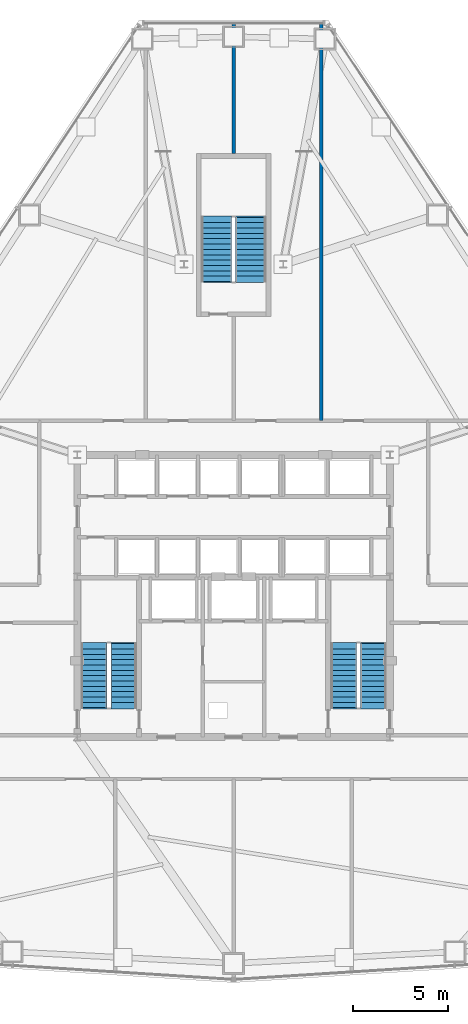
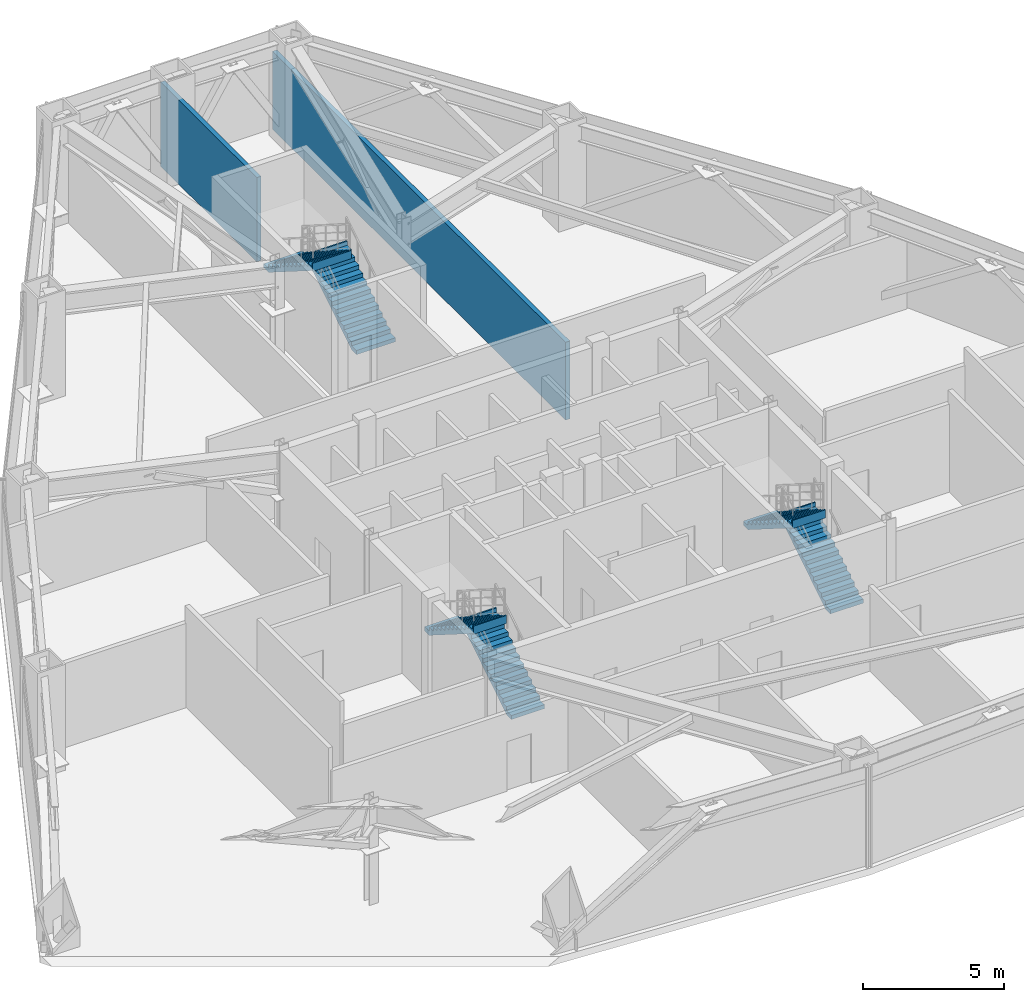
# One storey, part 11 of 12: 6 stair flights, 2 walls, 3 elements without a shape of their own.
"""IFC4 building model written with IfcOpenShell, lengths in metres."""

from ifc_helpers import new_model, si_unit, direction, frame, frame_2d, origin, place, context, subcontext, project, spatial, polyline, rectangle, outline, extrude, material, layer, layer_set, type_object, element, aggregate, save


model = new_model("IFC4")

# Units and contexts
model_context = context("Model", 3, precision=1e-05, world=origin(), true_north=direction((0.0, 1.0)))
body_context = subcontext(model_context, "Body", "Model", "MODEL_VIEW")
ifc_project = project(units=[si_unit("LENGTHUNIT", "METRE"), si_unit("AREAUNIT", "SQUARE_METRE"), si_unit("VOLUMEUNIT", "CUBIC_METRE"), si_unit("PLANEANGLEUNIT", "RADIAN"), si_unit("MASSUNIT", "GRAM", prefix="KILO")], contexts=[model_context])

# Site, building, storey
site_placement = place(None, origin())
site = spatial("IfcSite", under=ifc_project, at=site_placement, CompositionType="ELEMENT")
building_placement = place(site_placement, origin())
building = spatial("IfcBuilding", under=site, at=building_placement, Name="Varakhsha Concourse Tower", CompositionType="ELEMENT")
storey_placement = place(building_placement, frame((0.0, 0.0, 68.800048828125)))
storey = spatial("IfcBuildingStorey", under=building, at=storey_placement, Name="L19", CompositionType="ELEMENT", Elevation=68.800048828125)

# Walls
ifc_material_1 = material(Name="Fire-Rated Type X Gypsum Partition Assembly", Category="gypsum")
ifc_layer = layer(ifc_material_1, 0.179931640625, Name="WL-PART-180")
ifc_layer_set = layer_set([ifc_layer], Name="Fire-Rated Type X Gypsum Partition Assembly")
wall_type = type_object("IfcWallType", Name="WL-PART-180", PredefinedType="PARTITIONING", material=ifc_layer_set)
wall_1_placement = place(storey_placement, frame((40.0, 47.0, 0.0), z_axis=(0.0, 0.0, 1.0), x_axis=(0.0, 1.0, 0.0)))
element("IfcWall", 1, at=wall_1_placement, inside=storey, type_object=wall_type, Name="L19 Wall PDIV-N2-L19-B", PredefinedType="PARTITIONING", context=body_context, shape_type="SweptSolid", body=[
    extrude(rectangle(XDim=6.84912109375, YDim=0.179931640625, at=frame_2d((3.424560546875, 0.0))), origin(), (0.0, 0.0, 1.0), 3.657958984375),
])
wall_2_placement = place(storey_placement, frame((44.60009765625, 33.0, 0.0), z_axis=(0.0, 0.0, 1.0), x_axis=(0.0, 1.0, 0.0)))
element("IfcWall", 2, at=wall_2_placement, inside=storey, type_object=wall_type, Name="L19 Wall PDIV-N3-L19", PredefinedType="PARTITIONING", context=body_context, shape_type="SweptSolid", body=[
    extrude(rectangle(XDim=20.84912109375, YDim=0.179931640625, at=frame_2d((10.424560546875, 0.0))), origin(), (0.0, 0.0, 1.0), 3.385009765625),
])

# Stair, stair flights
ifc_material_2 = material(Name="Concrete fc 45 MPa", Category="concrete")
stair_type_1 = type_object("IfcStairType", Name="ST-DOGLEG-1360", PredefinedType="HALF_TURN_STAIR", material=ifc_material_2)
stair_1_placement = place(storey_placement, origin())
stair_1 = element("IfcStair", 3, at=stair_1_placement, inside=storey, type_object=stair_type_1, Name="L19 Protected Exit Stair ST1", PredefinedType="HALF_TURN_STAIR")
stair_flight_type_1 = type_object("IfcStairFlightType", Name="STF-1360-R1769", PredefinedType="STRAIGHT", material=ifc_material_2)
stair_flight_1_placement = place(storey_placement, frame((34.239990234375, 17.93994140625, 0.0), z_axis=(0.0, 0.0, 1.0), x_axis=(0.0, 1.0, 0.0)))
stair_flight_1 = element("IfcStairFlight", 4, at=stair_flight_1_placement, type_object=stair_flight_type_1, Name="ST1 flight 1", NumberOfRisers=13, NumberOfTreads=12, PredefinedType="STRAIGHT", RiserHeight=0.176923077, TreadLength=0.28, context=body_context, shape_type="SweptSolid", body=[
    extrude(outline(polyline([(-0.06005859375, 0.0), (-0.06005859375, 0.177001953125), (0.0, 0.177001953125), (0.280029296875, 0.177001953125), (0.280029296875, 0.353759765625), (0.56005859375, 0.353759765625), (0.56005859375, 0.53076171875), (0.840087890625, 0.53076171875), (0.840087890625, 0.707763671875), (1.1201171875, 0.707763671875), (1.1201171875, 0.884521484375), (1.39990234375, 0.884521484375), (1.39990234375, 1.0615234375), (1.679931640625, 1.0615234375), (1.679931640625, 1.238525390625), (1.9599609375, 1.238525390625), (1.9599609375, 1.415283203125), (2.239990234375, 1.415283203125), (2.239990234375, 1.59228515625), (2.52001953125, 1.59228515625), (2.52001953125, 1.769287109375), (2.800048828125, 1.769287109375), (2.800048828125, 1.946044921875), (3.080078125, 1.946044921875), (3.080078125, 2.123046875), (3.360107421875, 2.123046875), (3.360107421875, 2.300048828125), (3.419921875, 2.300048828125), (3.419921875, 1.94580078125), (3.360107421875, 1.94580078125), (0.280517578125, 0.0), (-0.06005859375, 0.0)])), frame((0.0, 0.68017578125, 0.0), z_axis=(0.0, -1.0, 0.0), x_axis=(1.0, 0.0, 0.0)), (0.0, 0.0, 1.0), 1.360107421875),
])
stair_flight_2_placement = place(storey_placement, frame((32.679931640625, 21.300048828125, 2.300048828125), z_axis=(0.0, 0.0, 1.0), x_axis=(0.0, -1.0, 0.0)))
stair_flight_2 = element("IfcStairFlight", 5, at=stair_flight_2_placement, type_object=stair_flight_type_1, Name="ST1 flight 2", NumberOfRisers=13, NumberOfTreads=12, PredefinedType="STRAIGHT", RiserHeight=0.176923077, TreadLength=0.28, context=body_context, shape_type="SweptSolid", body=[
    extrude(outline(polyline([(-0.06005859375, 0.0), (-0.06005859375, 0.177001953125), (0.0, 0.177001953125), (0.280029296875, 0.177001953125), (0.280029296875, 0.353759765625), (0.56005859375, 0.353759765625), (0.56005859375, 0.53076171875), (0.840087890625, 0.53076171875), (0.840087890625, 0.707763671875), (1.1201171875, 0.707763671875), (1.1201171875, 0.884521484375), (1.39990234375, 0.884521484375), (1.39990234375, 1.0615234375), (1.679931640625, 1.0615234375), (1.679931640625, 1.238525390625), (1.9599609375, 1.238525390625), (1.9599609375, 1.415283203125), (2.239990234375, 1.415283203125), (2.239990234375, 1.59228515625), (2.52001953125, 1.59228515625), (2.52001953125, 1.769287109375), (2.800048828125, 1.769287109375), (2.800048828125, 1.946044921875), (3.080078125, 1.946044921875), (3.080078125, 2.123046875), (3.360107421875, 2.123046875), (3.360107421875, 2.300048828125), (3.419921875, 2.300048828125), (3.419921875, 1.94580078125), (3.360107421875, 1.94580078125), (0.280517578125, 0.0), (-0.06005859375, 0.0)])), frame((0.0, 0.68017578125, 0.0), z_axis=(0.0, -1.0, 0.0), x_axis=(1.0, 0.0, 0.0)), (0.0, 0.0, 1.0), 1.360107421875),
])
aggregate(stair_1, [stair_flight_1, stair_flight_2])

stair_2_placement = place(storey_placement, origin())
stair_2 = element("IfcStair", 6, at=stair_2_placement, inside=storey, type_object=stair_type_1, Name="L19 Protected Exit Stair ST2", PredefinedType="HALF_TURN_STAIR")
stair_flight_3_placement = place(storey_placement, frame((47.340087890625, 17.93994140625, 0.0), z_axis=(0.0, 0.0, 1.0), x_axis=(0.0, 1.0, 0.0)))
stair_flight_3 = element("IfcStairFlight", 7, at=stair_flight_3_placement, type_object=stair_flight_type_1, Name="ST2 flight 1", NumberOfRisers=13, NumberOfTreads=12, PredefinedType="STRAIGHT", RiserHeight=0.176923077, TreadLength=0.28, context=body_context, shape_type="SweptSolid", body=[
    extrude(outline(polyline([(-0.06005859375, 0.0), (-0.06005859375, 0.177001953125), (0.0, 0.177001953125), (0.280029296875, 0.177001953125), (0.280029296875, 0.353759765625), (0.56005859375, 0.353759765625), (0.56005859375, 0.53076171875), (0.840087890625, 0.53076171875), (0.840087890625, 0.707763671875), (1.1201171875, 0.707763671875), (1.1201171875, 0.884521484375), (1.39990234375, 0.884521484375), (1.39990234375, 1.0615234375), (1.679931640625, 1.0615234375), (1.679931640625, 1.238525390625), (1.9599609375, 1.238525390625), (1.9599609375, 1.415283203125), (2.239990234375, 1.415283203125), (2.239990234375, 1.59228515625), (2.52001953125, 1.59228515625), (2.52001953125, 1.769287109375), (2.800048828125, 1.769287109375), (2.800048828125, 1.946044921875), (3.080078125, 1.946044921875), (3.080078125, 2.123046875), (3.360107421875, 2.123046875), (3.360107421875, 2.300048828125), (3.419921875, 2.300048828125), (3.419921875, 1.94580078125), (3.360107421875, 1.94580078125), (0.280517578125, 0.0), (-0.06005859375, 0.0)])), frame((0.0, 0.68017578125, 0.0), z_axis=(0.0, -1.0, 0.0), x_axis=(1.0, 0.0, 0.0)), (0.0, 0.0, 1.0), 1.360107421875),
])
stair_flight_4_placement = place(storey_placement, frame((45.780029296875, 21.300048828125, 2.300048828125), z_axis=(0.0, 0.0, 1.0), x_axis=(0.0, -1.0, 0.0)))
stair_flight_4 = element("IfcStairFlight", 8, at=stair_flight_4_placement, type_object=stair_flight_type_1, Name="ST2 flight 2", NumberOfRisers=13, NumberOfTreads=12, PredefinedType="STRAIGHT", RiserHeight=0.176923077, TreadLength=0.28, context=body_context, shape_type="SweptSolid", body=[
    extrude(outline(polyline([(-0.06005859375, 0.0), (-0.06005859375, 0.177001953125), (0.0, 0.177001953125), (0.280029296875, 0.177001953125), (0.280029296875, 0.353759765625), (0.56005859375, 0.353759765625), (0.56005859375, 0.53076171875), (0.840087890625, 0.53076171875), (0.840087890625, 0.707763671875), (1.1201171875, 0.707763671875), (1.1201171875, 0.884521484375), (1.39990234375, 0.884521484375), (1.39990234375, 1.0615234375), (1.679931640625, 1.0615234375), (1.679931640625, 1.238525390625), (1.9599609375, 1.238525390625), (1.9599609375, 1.415283203125), (2.239990234375, 1.415283203125), (2.239990234375, 1.59228515625), (2.52001953125, 1.59228515625), (2.52001953125, 1.769287109375), (2.800048828125, 1.769287109375), (2.800048828125, 1.946044921875), (3.080078125, 1.946044921875), (3.080078125, 2.123046875), (3.360107421875, 2.123046875), (3.360107421875, 2.300048828125), (3.419921875, 2.300048828125), (3.419921875, 1.94580078125), (3.360107421875, 1.94580078125), (0.280517578125, 0.0), (-0.06005859375, 0.0)])), frame((0.0, 0.68017578125, 0.0), z_axis=(0.0, -1.0, 0.0), x_axis=(1.0, 0.0, 0.0)), (0.0, 0.0, 1.0), 1.360107421875),
])
aggregate(stair_2, [stair_flight_3, stair_flight_4])

stair_type_2 = type_object("IfcStairType", Name="ST-DOGLEG-1600", PredefinedType="HALF_TURN_STAIR", material=ifc_material_2)
stair_3_placement = place(storey_placement, origin())
stair_3 = element("IfcStair", 9, at=stair_3_placement, inside=storey, type_object=stair_type_2, Name="L19 Protected Exit Stair ST5", PredefinedType="HALF_TURN_STAIR")
stair_flight_type_2 = type_object("IfcStairFlightType", Name="STF-1600-R1769", PredefinedType="STRAIGHT", material=ifc_material_2)
stair_flight_5_placement = place(storey_placement, frame((40.89990234375, 40.300048828125, 0.0), z_axis=(0.0, 0.0, 1.0), x_axis=(0.0, 1.0, 0.0)))
stair_flight_5 = element("IfcStairFlight", 10, at=stair_flight_5_placement, type_object=stair_flight_type_2, Name="ST5 flight 1", NumberOfRisers=13, NumberOfTreads=12, PredefinedType="STRAIGHT", RiserHeight=0.176923077, TreadLength=0.28, context=body_context, shape_type="SweptSolid", body=[
    extrude(outline(polyline([(-0.06005859375, 0.0), (-0.06005859375, 0.177001953125), (0.0, 0.177001953125), (0.280029296875, 0.177001953125), (0.280029296875, 0.353759765625), (0.56005859375, 0.353759765625), (0.56005859375, 0.53076171875), (0.840087890625, 0.53076171875), (0.840087890625, 0.707763671875), (1.1201171875, 0.707763671875), (1.1201171875, 0.884521484375), (1.39990234375, 0.884521484375), (1.39990234375, 1.0615234375), (1.679931640625, 1.0615234375), (1.679931640625, 1.238525390625), (1.9599609375, 1.238525390625), (1.9599609375, 1.415283203125), (2.239990234375, 1.415283203125), (2.239990234375, 1.59228515625), (2.52001953125, 1.59228515625), (2.52001953125, 1.769287109375), (2.800048828125, 1.769287109375), (2.800048828125, 1.946044921875), (3.080078125, 1.946044921875), (3.080078125, 2.123046875), (3.360107421875, 2.123046875), (3.360107421875, 2.300048828125), (3.419921875, 2.300048828125), (3.419921875, 1.94580078125), (3.360107421875, 1.94580078125), (0.280517578125, 0.0), (-0.06005859375, 0.0)])), frame((0.0, 0.800048828125, 0.0), z_axis=(0.0, -1.0, 0.0), x_axis=(1.0, 0.0, 0.0)), (0.0, 0.0, 1.0), 1.60009765625),
])
stair_flight_6_placement = place(storey_placement, frame((39.10009765625, 43.659912109375, 2.300048828125), z_axis=(0.0, 0.0, 1.0), x_axis=(0.0, -1.0, 0.0)))
stair_flight_6 = element("IfcStairFlight", 11, at=stair_flight_6_placement, type_object=stair_flight_type_2, Name="ST5 flight 2", NumberOfRisers=13, NumberOfTreads=12, PredefinedType="STRAIGHT", RiserHeight=0.176923077, TreadLength=0.28, context=body_context, shape_type="SweptSolid", body=[
    extrude(outline(polyline([(-0.06005859375, 0.0), (-0.06005859375, 0.177001953125), (0.0, 0.177001953125), (0.280029296875, 0.177001953125), (0.280029296875, 0.353759765625), (0.56005859375, 0.353759765625), (0.56005859375, 0.53076171875), (0.840087890625, 0.53076171875), (0.840087890625, 0.707763671875), (1.1201171875, 0.707763671875), (1.1201171875, 0.884521484375), (1.39990234375, 0.884521484375), (1.39990234375, 1.0615234375), (1.679931640625, 1.0615234375), (1.679931640625, 1.238525390625), (1.9599609375, 1.238525390625), (1.9599609375, 1.415283203125), (2.239990234375, 1.415283203125), (2.239990234375, 1.59228515625), (2.52001953125, 1.59228515625), (2.52001953125, 1.769287109375), (2.800048828125, 1.769287109375), (2.800048828125, 1.946044921875), (3.080078125, 1.946044921875), (3.080078125, 2.123046875), (3.360107421875, 2.123046875), (3.360107421875, 2.300048828125), (3.419921875, 2.300048828125), (3.419921875, 1.94580078125), (3.360107421875, 1.94580078125), (0.280517578125, 0.0), (-0.06005859375, 0.0)])), frame((0.0, 0.800048828125, 0.0), z_axis=(0.0, -1.0, 0.0), x_axis=(1.0, 0.0, 0.0)), (0.0, 0.0, 1.0), 1.60009765625),
])
aggregate(stair_3, [stair_flight_5, stair_flight_6])

save(model, "model.ifc")
